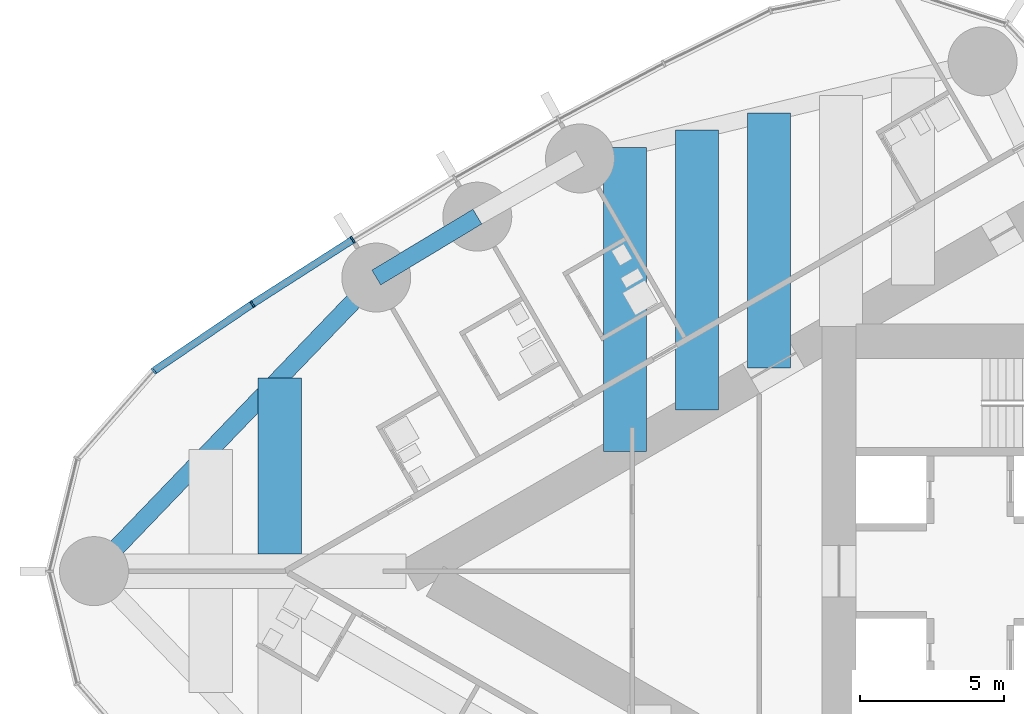
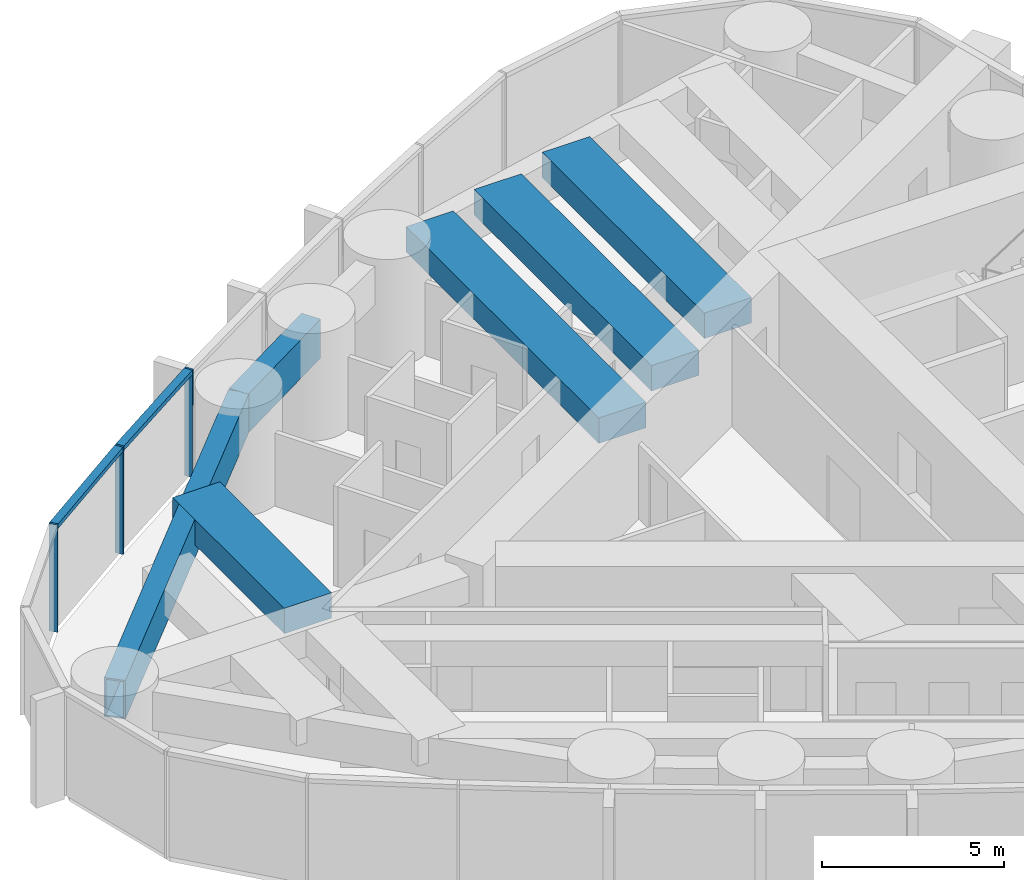
# One storey, part 3 of 23: 6 beams, 5 members, 1 element without a shape of its own.
"""IFC4 building model written with IfcOpenShell, lengths in metres."""

from ifc_helpers import new_model, si_unit, direction, frame, origin, origin_2d, place, context, subcontext, project, spatial, rectangle, hollow_rectangle, extrude, material, material_profile, profile_set, type_object, element, aggregate, save


model = new_model("IFC4")

# Units and contexts
model_context = context("Model", 3, precision=1e-05, world=origin(), true_north=direction((0.0, 1.0)))
body_context = subcontext(model_context, "Body", "Model", "MODEL_VIEW")
ifc_project = project(units=[si_unit("LENGTHUNIT", "METRE"), si_unit("AREAUNIT", "SQUARE_METRE"), si_unit("VOLUMEUNIT", "CUBIC_METRE"), si_unit("PLANEANGLEUNIT", "RADIAN"), si_unit("MASSUNIT", "GRAM", prefix="KILO")], contexts=[model_context])

# Site, building, storey
site_placement = place(None, origin())
site = spatial("IfcSite", under=ifc_project, at=site_placement, CompositionType="ELEMENT")
building_placement = place(site_placement, origin())
building = spatial("IfcBuilding", under=site, at=building_placement, Name="Lancet Gate Hotel", CompositionType="ELEMENT")
storey_placement = place(building_placement, frame((0.0, 0.0, 215.300048828125)))
storey = spatial("IfcBuildingStorey", under=building, at=storey_placement, Name="L57", CompositionType="ELEMENT", Elevation=215.300048828125)

# Curtain wall, members
ifc_material_1 = material(Name="Aluminium curtain wall", Category="aluminium")
curtain_wall_type = type_object("IfcCurtainWallType", Name="Tower unitised curtain wall", PredefinedType="USERDEFINED", material=ifc_material_1)
curtain_wall_placement = place(storey_placement, origin())
curtain_wall = element("IfcCurtainWall", 1, at=curtain_wall_placement, inside=storey, type_object=curtain_wall_type, Name="T1 L57 curtain wall 1", ObjectType="UNITISED CURTAIN WALL", PredefinedType="USERDEFINED")
ifc_material_2 = material(Name="Aluminium mullion", Category="aluminium")
ifc_material_profile_1 = material_profile(ifc_material_2, rectangle(XDim=0.06494140625, YDim=0.25, at=origin_2d()), Name="MULLION 65x250")
ifc_profile_set_1 = profile_set([ifc_material_profile_1], Name="Aluminium mullion")
member_type_1 = type_object("IfcMemberType", Name="Aluminium mullion 65x250", PredefinedType="MULLION", material=ifc_profile_set_1)
member_1_placement = place(storey_placement, frame((-54.225830078125, 11.535400390625, 0.0), z_axis=(0.0, 0.0, 1.0), x_axis=(-0.849342388216, -0.527842313176, 0.0)))
member_1 = element("IfcMember", 2, at=member_1_placement, type_object=member_type_1, Name="T1 L57 curtain wall 1 mullion 9", PredefinedType="MULLION", context=body_context, shape_type="SweptSolid", body=[
    extrude(rectangle(XDim=0.06494140625, YDim=0.25, at=origin_2d()), origin(), (0.0, 0.0, 1.0), 3.599853515625),
])
member_2_placement = place(storey_placement, frame((-57.72021484375, 9.298095703125, 0.0), z_axis=(0.0, 0.0, 1.0), x_axis=(-0.834827178542, -0.550512108829, 0.0)))
member_2 = element("IfcMember", 3, at=member_2_placement, type_object=member_type_1, Name="T1 L57 curtain wall 1 mullion 10", PredefinedType="MULLION", context=body_context, shape_type="SweptSolid", body=[
    extrude(rectangle(XDim=0.06494140625, YDim=0.25, at=origin_2d()), origin(), (0.0, 0.0, 1.0), 3.599853515625),
])
member_3_placement = place(storey_placement, frame((-61.15283203125, 6.967529296875, 0.0), z_axis=(0.0, 0.0, 1.0), x_axis=(-0.750715604757, -0.660625522345, 0.0)))
member_3 = element("IfcMember", 4, at=member_3_placement, type_object=member_type_1, Name="T1 L57 curtain wall 1 mullion 11", PredefinedType="MULLION", context=body_context, shape_type="SweptSolid", body=[
    extrude(rectangle(XDim=0.06494140625, YDim=0.25, at=origin_2d()), origin(), (0.0, 0.0, 1.0), 3.599853515625),
])
ifc_material_3 = material(Name="Aluminium transom", Category="aluminium")
ifc_material_profile_2 = material_profile(ifc_material_3, rectangle(XDim=0.25, YDim=0.14990234375, at=origin_2d()), Name="TRANSOM 250x150")
ifc_profile_set_2 = profile_set([ifc_material_profile_2], Name="Aluminium transom")
member_type_2 = type_object("IfcMemberType", Name="Aluminium transom 250x150", PredefinedType="USERDEFINED", material=ifc_profile_set_2)
member_4_placement = place(storey_placement, frame((-54.253173828125, 11.51806640625, 3.52490234375), z_axis=(-0.842144358733, -0.539252147937, 0.0), x_axis=(0.539252147937, -0.842144358733, 0.0)))
member_4 = element("IfcMember", 5, at=member_4_placement, type_object=member_type_2, Name="T1 L57 curtain wall 1 transom 9", ObjectType="TRANSOM", PredefinedType="USERDEFINED", context=body_context, shape_type="SweptSolid", body=[
    extrude(rectangle(XDim=0.25, YDim=0.14990234375, at=origin_2d()), origin(), (0.0, 0.0, 1.0), 4.084228515625),
])
member_5_placement = place(storey_placement, frame((-57.7470703125, 9.27978515625, 3.52490234375), z_axis=(-0.827348780456, -0.561688521761, 0.0), x_axis=(0.561688521761, -0.827348780456, 0.0)))
member_5 = element("IfcMember", 6, at=member_5_placement, type_object=member_type_2, Name="T1 L57 curtain wall 1 transom 10", ObjectType="TRANSOM", PredefinedType="USERDEFINED", context=body_context, shape_type="SweptSolid", body=[
    extrude(rectangle(XDim=0.25, YDim=0.14990234375, at=origin_2d()), origin(), (0.0, 0.0, 1.0), 4.083984375),
])
aggregate(curtain_wall, [member_1, member_2, member_3, member_4, member_5])

# Beams
ifc_material_4 = material(Name="Steel S460QL", Category="steel")
ifc_material_profile_3 = material_profile(ifc_material_4, hollow_rectangle(XDim=0.60009765625, YDim=1.300048828125, WallThickness=0.050048828125, at=origin_2d()), Name="BOX 1300x600x50")
ifc_profile_set_3 = profile_set([ifc_material_profile_3], Name="Steel S460QL")
beam_type_1 = type_object("IfcBeamType", Name="Edge beam BOX 1300x600x50", PredefinedType="SPANDREL", material=ifc_profile_set_3)
beam_1_placement = place(storey_placement, frame((-49.89013671875, 12.340087890625, 2.699951171875), z_axis=(-0.856358061538, -0.516382484636, 0.0), x_axis=(0.516382484636, -0.856358061538, 0.0)))
element("IfcBeam", 7, at=beam_1_placement, inside=storey, type_object=beam_type_1, Name="T1 edge beam EB2 L57", PredefinedType="SPANDREL", context=body_context, shape_type="SweptSolid", body=[
    extrude(hollow_rectangle(XDim=0.60009765625, YDim=1.300048828125, WallThickness=0.050048828125, at=origin_2d()), origin(), (0.0, 0.0, 1.0), 4.107666015625),
])
beam_2_placement = place(storey_placement, frame((-53.40771484375, 10.218994140625, 2.699951171875), z_axis=(-0.693134527053, -0.720808245934, 0.0), x_axis=(0.720808245934, -0.693134527053, 0.0)))
element("IfcBeam", 8, at=beam_2_placement, inside=storey, type_object=beam_type_1, Name="T1 edge beam EB2 L57", PredefinedType="SPANDREL", context=body_context, shape_type="SweptSolid", body=[
    extrude(hollow_rectangle(XDim=0.60009765625, YDim=1.300048828125, WallThickness=0.050048828125, at=origin_2d()), origin(), (0.0, 0.0, 1.0), 14.17724609375),
])
ifc_material_5 = material(Name="Concrete C50/60", Category="concrete")
ifc_material_profile_4 = material_profile(ifc_material_5, rectangle(XDim=1.5, YDim=0.85009765625, at=origin_2d()), Name="RC 1500x850")
ifc_profile_set_4 = profile_set([ifc_material_profile_4], Name="Concrete C50/60")
beam_type_2 = type_object("IfcBeamType", Name="Floor beam RC 1500x850", PredefinedType="BEAM", material=ifc_profile_set_4)
beam_3_placement = place(storey_placement, frame((-39.734130859375, 15.952880859375, 2.925048828125), z_axis=(0.0, -1.0, 0.0), x_axis=(1.0, 0.0, 0.0)))
element("IfcBeam", 9, at=beam_3_placement, inside=storey, type_object=beam_type_2, Name="T1 floor beam F05S L57", PredefinedType="BEAM", context=body_context, shape_type="SweptSolid", body=[
    extrude(rectangle(XDim=1.5, YDim=0.85009765625, at=origin_2d()), origin(), (0.0, 0.0, 1.0), 8.889404296875),
])
beam_4_placement = place(storey_placement, frame((-42.240966796875, 15.348388671875, 2.925048828125), z_axis=(0.0, -1.0, 0.0), x_axis=(1.0, 0.0, 0.0)))
element("IfcBeam", 10, at=beam_4_placement, inside=storey, type_object=beam_type_2, Name="T1 floor beam F06S L57", PredefinedType="BEAM", context=body_context, shape_type="SweptSolid", body=[
    extrude(rectangle(XDim=1.5, YDim=0.85009765625, at=origin_2d()), origin(), (0.0, 0.0, 1.0), 9.732421875),
])
beam_5_placement = place(storey_placement, frame((-44.747802734375, 14.743896484375, 2.925048828125), z_axis=(0.0, -1.0, 0.0), x_axis=(1.0, 0.0, 0.0)))
element("IfcBeam", 11, at=beam_5_placement, inside=storey, type_object=beam_type_2, Name="T1 floor beam F08S L57", PredefinedType="BEAM", context=body_context, shape_type="SweptSolid", body=[
    extrude(rectangle(XDim=1.5, YDim=0.85009765625, at=origin_2d()), origin(), (0.0, 0.0, 1.0), 10.5751953125),
])
beam_6_placement = place(storey_placement, frame((-56.768310546875, 6.72412109375, 2.925048828125), z_axis=(0.0, -1.0, 0.0), x_axis=(1.0, 0.0, 0.0)))
element("IfcBeam", 12, at=beam_6_placement, inside=storey, type_object=beam_type_2, Name="T1 floor beam F09S L57", PredefinedType="BEAM", context=body_context, shape_type="SweptSolid", body=[
    extrude(rectangle(XDim=1.5, YDim=0.85009765625, at=origin_2d()), origin(), (0.0, 0.0, 1.0), 6.1240234375),
])

save(model, "model.ifc")
